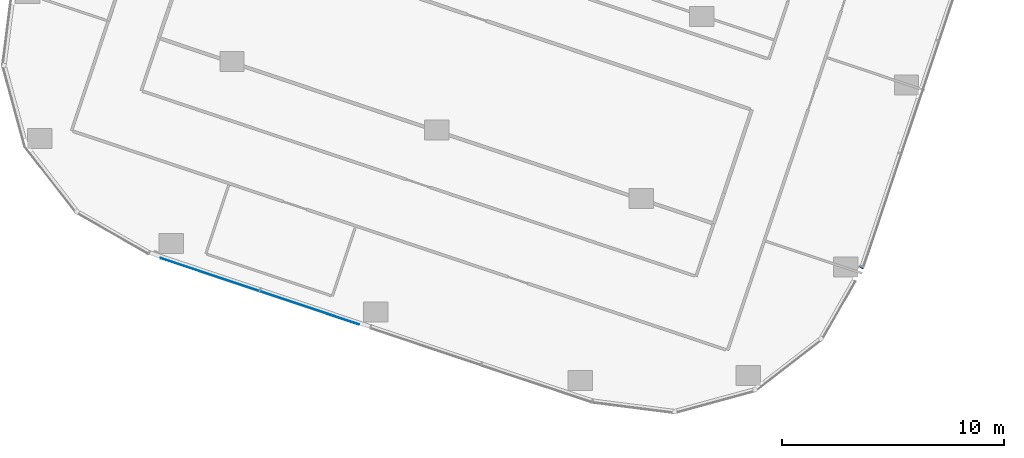
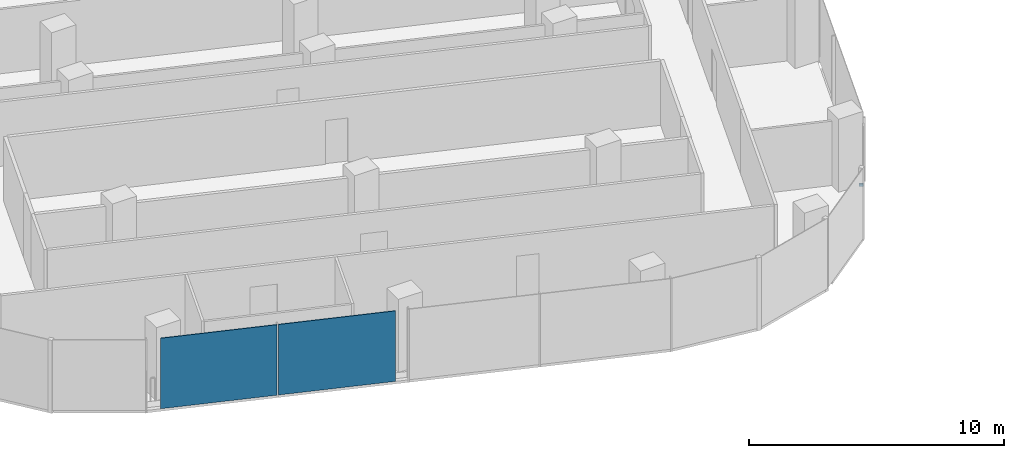
# One storey, part 14 of 26: 2 plates, 1 member, 2 elements without a shape of their own.
"""IFC4 building model written with IfcOpenShell, lengths in metres."""

from ifc_helpers import new_model, si_unit, direction, frame, origin, origin_2d, place, context, subcontext, project, spatial, rectangle, extrude, material, layer, layer_set, material_profile, profile_set, type_object, element, aggregate, save


model = new_model("IFC4")

# Units and contexts
model_context = context("Model", 3, precision=1e-05, world=origin(), true_north=direction((0.0, 1.0)))
body_context = subcontext(model_context, "Body", "Model", "MODEL_VIEW")
ifc_project = project(units=[si_unit("LENGTHUNIT", "METRE"), si_unit("AREAUNIT", "SQUARE_METRE"), si_unit("VOLUMEUNIT", "CUBIC_METRE"), si_unit("PLANEANGLEUNIT", "RADIAN"), si_unit("MASSUNIT", "GRAM", prefix="KILO")], contexts=[model_context])

# Site, building, storey
site_placement = place(None, origin())
site = spatial("IfcSite", under=ifc_project, at=site_placement, CompositionType="ELEMENT")
building_placement = place(site_placement, origin())
building = spatial("IfcBuilding", under=site, at=building_placement, Name="Orlundy Tower", CompositionType="ELEMENT")
storey_placement = place(building_placement, frame((0.0, 0.0, 156.10009765625)))
storey = spatial("IfcBuildingStorey", under=building, at=storey_placement, Name="L40", CompositionType="ELEMENT", Elevation=156.10009765625)

# Curtain wall, member
ifc_material_1 = material(Name="Aluminium bronze anodised", Category="aluminium")
curtain_wall_type = type_object("IfcCurtainWallType", Name="CW1 wall", PredefinedType="NOTDEFINED", material=ifc_material_1)
curtain_wall_1_placement = place(storey_placement, origin())
curtain_wall_1 = element("IfcCurtainWall", 1, at=curtain_wall_1_placement, inside=storey, type_object=curtain_wall_type, Name="CW1 run 019", PredefinedType="NOTDEFINED")
ifc_material_2 = material(Name="Aluminium bronze anodised", Category="aluminium")
ifc_material_profile = material_profile(ifc_material_2, rectangle(XDim=0.179931640625, YDim=0.1201171875, at=origin_2d()), Name="CW1 transom 180x120")
ifc_profile_set = profile_set([ifc_material_profile], Name="Aluminium bronze anodised")
member_type = type_object("IfcMemberType", Name="CW1 transom 180x120", PredefinedType="USERDEFINED", material=ifc_profile_set)
member_placement = place(storey_placement, frame((3.171142578125, -53.82080078125, -0.340087890625), z_axis=(-0.496620683831, -0.867967681651, 0.0), x_axis=(0.867967681651, -0.496620683831, 0.0)))
member = element("IfcMember", 2, at=member_placement, type_object=member_type, Name="CW1 transom", ObjectType="TRANSOM", PredefinedType="USERDEFINED", context=body_context, shape_type="SweptSolid", body=[
    extrude(rectangle(XDim=0.179931640625, YDim=0.1201171875, at=origin_2d()), origin(), (0.0, 0.0, 1.0), 0.0546875),
])
aggregate(curtain_wall_1, [member])

# Curtain wall, plates
curtain_wall_2_placement = place(storey_placement, origin())
curtain_wall_2 = element("IfcCurtainWall", 3, at=curtain_wall_2_placement, inside=storey, type_object=curtain_wall_type, Name="CW1 run 023", PredefinedType="NOTDEFINED")
ifc_material_3 = material(Name="Tinted glass", Category="glass")
ifc_layer = layer(ifc_material_3, 0.031982421875)
ifc_layer_set = layer_set([ifc_layer], Name="CW1 glass panel 32")
plate_type = type_object("IfcPlateType", Name="CW1 glass panel 32", PredefinedType="CURTAIN_PANEL", material=ifc_layer_set)
plate_1_placement = place(storey_placement, frame((-21.662841796875, -55.667236328125, -0.280029296875), z_axis=(0.0, 0.0, 1.0), x_axis=(-0.948330329219, 0.317284709186, 0.0)))
plate_1 = element("IfcPlate", 4, at=plate_1_placement, type_object=plate_type, Name="CW1 panel", PredefinedType="CURTAIN_PANEL", context=body_context, shape_type="SweptSolid", body=[
    extrude(rectangle(XDim=4.68994140625, YDim=0.031982421875, at=origin_2d()), origin(), (0.0, 0.0, 1.0), 3.3798828125),
])
plate_2_placement = place(storey_placement, frame((-26.144775390625, -54.167724609375, -0.280029296875), z_axis=(0.0, 0.0, 1.0), x_axis=(-0.948330329219, 0.317284709186, 0.0)))
plate_2 = element("IfcPlate", 5, at=plate_2_placement, type_object=plate_type, Name="CW1 panel", PredefinedType="CURTAIN_PANEL", context=body_context, shape_type="SweptSolid", body=[
    extrude(rectangle(XDim=4.66259765625, YDim=0.031982421875, at=origin_2d()), origin(), (0.0, 0.0, 1.0), 3.3798828125),
])
aggregate(curtain_wall_2, [plate_1, plate_2])

save(model, "model.ifc")
